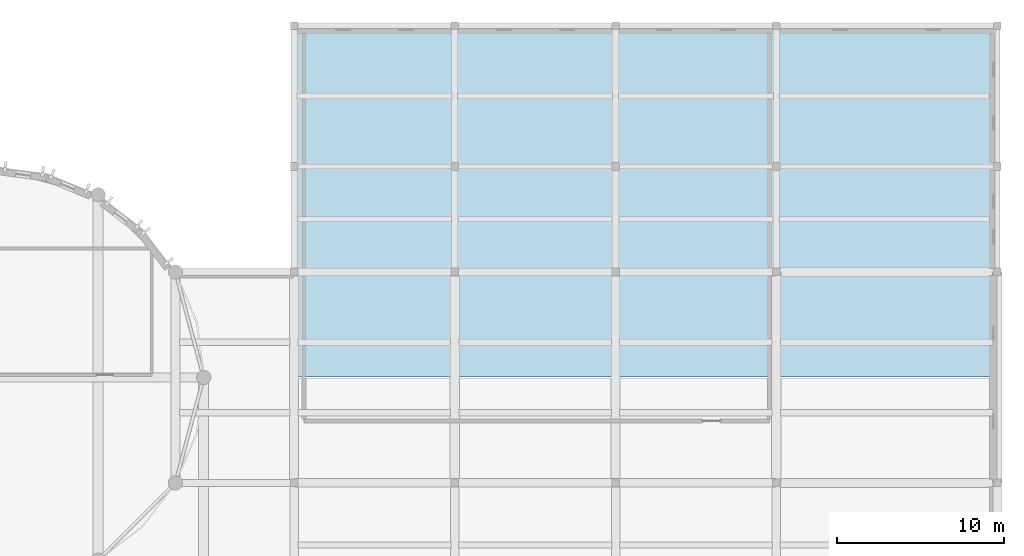
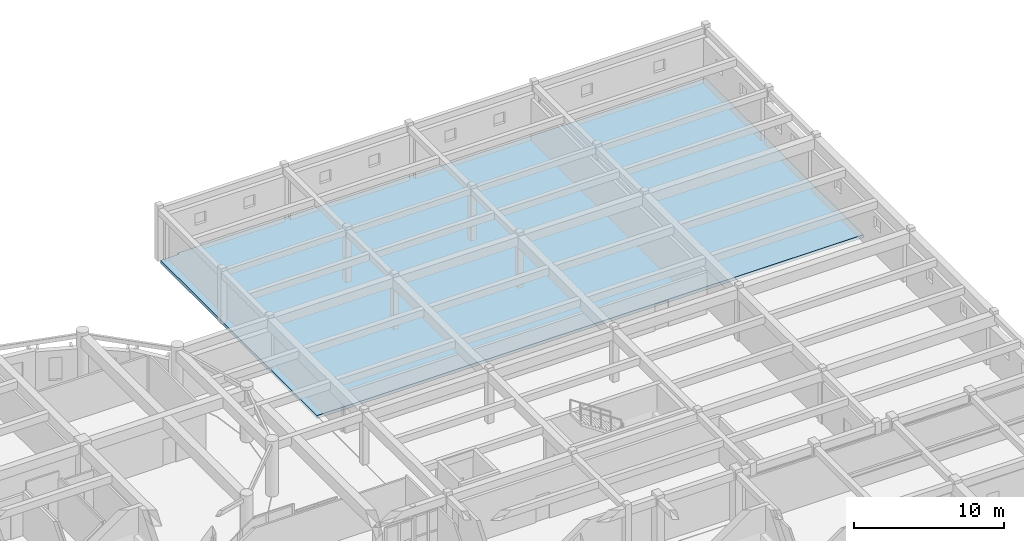
# One storey, part 62 of 92: 1 slab.
"""IFC4 building model written with IfcOpenShell, lengths in metres."""

from ifc_helpers import new_model, si_unit, direction, frame, origin, place, context, subcontext, project, spatial, polyline, outline, extrude, material, layer, layer_set, type_object, element, save


model = new_model("IFC4")

# Units and contexts
model_context = context("Model", 3, precision=1e-05, world=origin(), true_north=direction((0.0, 1.0)))
body_context = subcontext(model_context, "Body", "Model", "MODEL_VIEW")
ifc_project = project(units=[si_unit("LENGTHUNIT", "METRE"), si_unit("AREAUNIT", "SQUARE_METRE"), si_unit("VOLUMEUNIT", "CUBIC_METRE"), si_unit("PLANEANGLEUNIT", "RADIAN"), si_unit("MASSUNIT", "GRAM", prefix="KILO")], contexts=[model_context])

# Site, building, storey
site_placement = place(None, origin())
site = spatial("IfcSite", under=ifc_project, at=site_placement, CompositionType="ELEMENT")
building_placement = place(site_placement, origin())
building = spatial("IfcBuilding", under=site, at=building_placement, Name="Tarnavel Promenade Courthouse", CompositionType="ELEMENT")
storey_placement = place(building_placement, frame((0.0, 0.0, 5.39990234375)))
storey = spatial("IfcBuildingStorey", under=building, at=storey_placement, Name="L02", CompositionType="ELEMENT", Elevation=5.39990234375)

# Slab
ifc_material = material(Name="Concrete C40/50", Category="concrete")
ifc_layer = layer(ifc_material, 0.25)
ifc_layer_set = layer_set([ifc_layer], Name="Concrete C40/50")
slab_type = type_object("IfcSlabType", Name="Concrete C40/50 SLB-PT-250 (250 mm)", PredefinedType="FLOOR", material=ifc_layer_set)
slab_placement = place(storey_placement, frame((0.0, 0.0, -0.25)))
element("IfcSlab", 1, at=slab_placement, inside=storey, type_object=slab_type, Name="L02 Custody Suite N Security Slab", PredefinedType="FLOOR", context=body_context, shape_type="SweptSolid", body=[
    extrude(outline(polyline([(120.02001953125, 91.820068359375), (162.0, 91.820068359375), (162.0, 112.800048828125), (121.419921875, 112.800048828125), (121.419921875, 112.639892578125), (120.02001953125, 112.639892578125), (120.02001953125, 91.820068359375)])), origin(), (0.0, 0.0, 1.0), 0.25),
])

save(model, "model.ifc")
